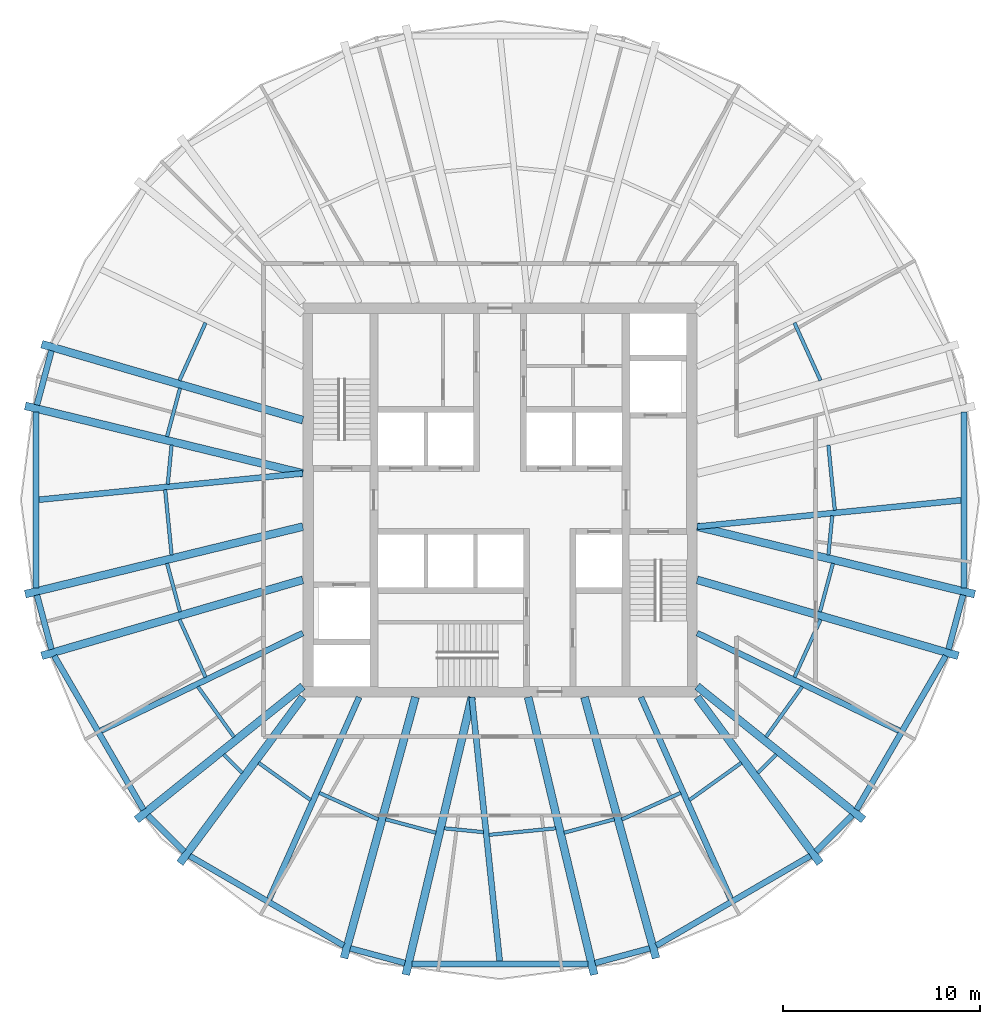
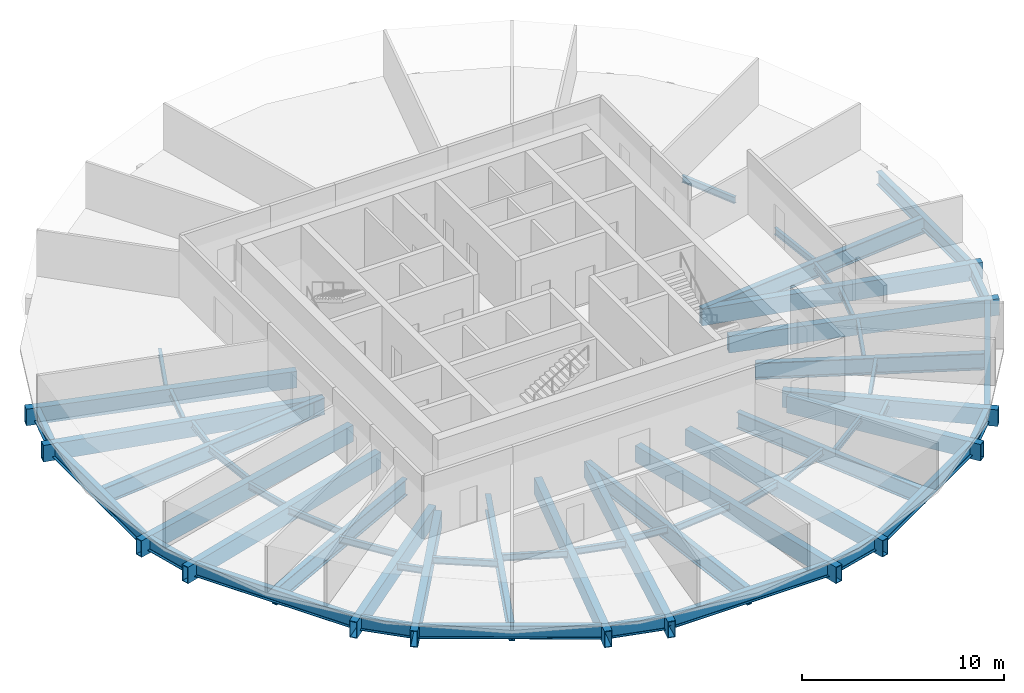
# One storey, part 1 of 6: 58 beams.
"""IFC4 building model written with IfcOpenShell, lengths in metres."""

from ifc_helpers import new_model, si_unit, direction, frame, origin, origin_2d, place, context, subcontext, project, spatial, hollow_rectangle, i_section, extrude, material, material_profile, profile_set, type_object, element, save


model = new_model("IFC4")

# Units and contexts
model_context = context("Model", 3, precision=1e-05, world=origin(), true_north=direction((0.0, 1.0)))
body_context = subcontext(model_context, "Body", "Model", "MODEL_VIEW")
ifc_project = project(units=[si_unit("LENGTHUNIT", "METRE"), si_unit("AREAUNIT", "SQUARE_METRE"), si_unit("VOLUMEUNIT", "CUBIC_METRE"), si_unit("PLANEANGLEUNIT", "RADIAN"), si_unit("MASSUNIT", "GRAM", prefix="KILO")], contexts=[model_context])

# Site, building, storey
site_placement = place(None, origin())
site = spatial("IfcSite", under=ifc_project, at=site_placement, CompositionType="ELEMENT")
building_placement = place(site_placement, origin())
building = spatial("IfcBuilding", under=site, at=building_placement, Name="Golbaran Civic Tower", CompositionType="ELEMENT")
storey_placement = place(building_placement, frame((0.0, 0.0, 138.0)))
storey = spatial("IfcBuildingStorey", under=building, at=storey_placement, Name="L33", CompositionType="ELEMENT", Elevation=138.0)

# Beams
ifc_material = material(Name="Steel S355", Category="steel")
ifc_material_profile_1 = material_profile(ifc_material, i_section(OverallWidth=0.300048828125, OverallDepth=0.800048828125, WebThickness=0.017578125, FlangeThickness=0.032958984375, FilletRadius=0.030029296875, at=origin_2d()), Name="HEB 800")
ifc_profile_set_1 = profile_set([ifc_material_profile_1], Name="Steel S355")
beam_type_1 = type_object("IfcBeamType", Name="EDGE BEAM HEB 800", PredefinedType="BEAM", material=ifc_profile_set_1)
beam_1_placement = place(storey_placement, frame((-22.7470703125, 7.572998046875, -0.60009765625), z_axis=(-0.258908578438, -0.965901831457, 0.0), x_axis=(0.965901831457, -0.258908578438, 0.0)))
element("IfcBeam", 1, at=beam_1_placement, inside=storey, type_object=beam_type_1, Name="Edge beam 161.28 L33", PredefinedType="BEAM", context=body_context, shape_type="SweptSolid", body=[
    extrude(i_section(OverallWidth=0.300048828125, OverallDepth=0.800048828125, WebThickness=0.017578125, FlangeThickness=0.032958984375, FilletRadius=0.030029296875, at=origin_2d()), origin(), (0.0, 0.0, 1.0), 2.853515625),
])
beam_2_placement = place(storey_placement, frame((-23.532470703125, 4.457763671875, -0.60009765625), z_axis=(0.0, -1.0, 0.0), x_axis=(1.0, 0.0, 0.0)))
element("IfcBeam", 2, at=beam_2_placement, inside=storey, type_object=beam_type_1, Name="Edge beam 168.72 L33", PredefinedType="BEAM", context=body_context, shape_type="SweptSolid", body=[
    extrude(i_section(OverallWidth=0.300048828125, OverallDepth=0.800048828125, WebThickness=0.017578125, FlangeThickness=0.032958984375, FilletRadius=0.030029296875, at=origin_2d()), origin(), (0.0, 0.0, 1.0), 8.91552734375),
])
beam_3_placement = place(storey_placement, frame((-23.48583984375, -4.81689453125, -0.60009765625), z_axis=(0.258908578438, -0.965901831457, 0.0), x_axis=(0.965901831457, 0.258908578438, 0.0)))
element("IfcBeam", 3, at=beam_3_placement, inside=storey, type_object=beam_type_1, Name="Edge beam 191.28 L33", PredefinedType="BEAM", context=body_context, shape_type="SweptSolid", body=[
    extrude(i_section(OverallWidth=0.300048828125, OverallDepth=0.800048828125, WebThickness=0.017578125, FlangeThickness=0.032958984375, FilletRadius=0.030029296875, at=origin_2d()), origin(), (0.0, 0.0, 1.0), 2.853515625),
])
beam_4_placement = place(storey_placement, frame((-22.607421875, -7.907470703125, -0.60009765625), z_axis=(0.501847371809, -0.864956192769, 0.0), x_axis=(0.864956192769, 0.501847371809, 0.0)))
element("IfcBeam", 4, at=beam_4_placement, inside=storey, type_object=beam_type_1, Name="Edge beam 198.72 L33", PredefinedType="BEAM", context=body_context, shape_type="SweptSolid", body=[
    extrude(i_section(OverallWidth=0.300048828125, OverallDepth=0.800048828125, WebThickness=0.017578125, FlangeThickness=0.032958984375, FilletRadius=0.030029296875, at=origin_2d()), origin(), (0.0, 0.0, 1.0), 9.01513671875),
])
beam_5_placement = place(storey_placement, frame((-17.864013671875, -15.99072265625, -0.60009765625), z_axis=(0.706449924406, -0.707763028355, 0.0), x_axis=(0.707763028355, 0.706449924406, 0.0)))
element("IfcBeam", 5, at=beam_5_placement, inside=storey, type_object=beam_type_1, Name="Edge beam 221.28 L33", PredefinedType="BEAM", context=body_context, shape_type="SweptSolid", body=[
    extrude(i_section(OverallWidth=0.300048828125, OverallDepth=0.800048828125, WebThickness=0.017578125, FlangeThickness=0.032958984375, FilletRadius=0.030029296875, at=origin_2d()), origin(), (0.0, 0.0, 1.0), 2.60302734375),
])
beam_6_placement = place(storey_placement, frame((-15.739990234375, -18.052978515625, -0.60009765625), z_axis=(0.864287724773, -0.502997742348, 0.0), x_axis=(0.502997742348, 0.864287724773, 0.0)))
element("IfcBeam", 6, at=beam_6_placement, inside=storey, type_object=beam_type_1, Name="Edge beam 228.72 L33", PredefinedType="BEAM", context=body_context, shape_type="SweptSolid", body=[
    extrude(i_section(OverallWidth=0.300048828125, OverallDepth=0.800048828125, WebThickness=0.017578125, FlangeThickness=0.032958984375, FilletRadius=0.030029296875, at=origin_2d()), origin(), (0.0, 0.0, 1.0), 9.04150390625),
])
beam_7_placement = place(storey_placement, frame((-7.590576171875, -22.7412109375, -0.60009765625), z_axis=(0.965771038449, -0.259396031761, 0.0), x_axis=(0.259396031761, 0.965771038449, 0.0)))
element("IfcBeam", 7, at=beam_7_placement, inside=storey, type_object=beam_type_1, Name="Edge beam 251.28 L33", PredefinedType="BEAM", context=body_context, shape_type="SweptSolid", body=[
    extrude(i_section(OverallWidth=0.300048828125, OverallDepth=0.800048828125, WebThickness=0.017578125, FlangeThickness=0.032958984375, FilletRadius=0.030029296875, at=origin_2d()), origin(), (0.0, 0.0, 1.0), 2.865966796875),
])
beam_8_placement = place(storey_placement, frame((-4.4638671875, -23.53125, -0.60009765625), z_axis=(1.0, 0.0, 0.0), x_axis=(0.0, 1.0, 0.0)))
element("IfcBeam", 8, at=beam_8_placement, inside=storey, type_object=beam_type_1, Name="Edge beam 258.72 L33", PredefinedType="BEAM", context=body_context, shape_type="SweptSolid", body=[
    extrude(i_section(OverallWidth=0.300048828125, OverallDepth=0.800048828125, WebThickness=0.017578125, FlangeThickness=0.032958984375, FilletRadius=0.030029296875, at=origin_2d()), origin(), (0.0, 0.0, 1.0), 8.927734375),
])
beam_9_placement = place(storey_placement, frame((4.82275390625, -23.484619140625, -0.60009765625), z_axis=(0.965771038449, 0.259396031761, 0.0), x_axis=(-0.259396031761, 0.965771038449, 0.0)))
element("IfcBeam", 9, at=beam_9_placement, inside=storey, type_object=beam_type_1, Name="Edge beam 281.28 L33", PredefinedType="BEAM", context=body_context, shape_type="SweptSolid", body=[
    extrude(i_section(OverallWidth=0.300048828125, OverallDepth=0.800048828125, WebThickness=0.017578125, FlangeThickness=0.032958984375, FilletRadius=0.030029296875, at=origin_2d()), origin(), (0.0, 0.0, 1.0), 2.865966796875),
])
beam_10_placement = place(storey_placement, frame((7.925537109375, -22.600830078125, -0.60009765625), z_axis=(0.864287724773, 0.502997742348, 0.0), x_axis=(-0.502997742348, 0.864287724773, 0.0)))
element("IfcBeam", 10, at=beam_10_placement, inside=storey, type_object=beam_type_1, Name="Edge beam 288.72 L33", PredefinedType="BEAM", context=body_context, shape_type="SweptSolid", body=[
    extrude(i_section(OverallWidth=0.300048828125, OverallDepth=0.800048828125, WebThickness=0.017578125, FlangeThickness=0.032958984375, FilletRadius=0.030029296875, at=origin_2d()), origin(), (0.0, 0.0, 1.0), 9.04150390625),
])
beam_11_placement = place(storey_placement, frame((16.025146484375, -17.8330078125, -0.60009765625), z_axis=(0.706449924406, 0.707763028355, 0.0), x_axis=(-0.707763028355, 0.706449924406, 0.0)))
element("IfcBeam", 11, at=beam_11_placement, inside=storey, type_object=beam_type_1, Name="Edge beam 311.28 L33", PredefinedType="BEAM", context=body_context, shape_type="SweptSolid", body=[
    extrude(i_section(OverallWidth=0.300048828125, OverallDepth=0.800048828125, WebThickness=0.017578125, FlangeThickness=0.032958984375, FilletRadius=0.030029296875, at=origin_2d()), origin(), (0.0, 0.0, 1.0), 2.60302734375),
])
beam_12_placement = place(storey_placement, frame((18.083251953125, -15.705078125, -0.60009765625), z_axis=(0.501847371809, 0.864956192769, 0.0), x_axis=(-0.864956192769, 0.501847371809, 0.0)))
element("IfcBeam", 12, at=beam_12_placement, inside=storey, type_object=beam_type_1, Name="Edge beam 318.72 L33", PredefinedType="BEAM", context=body_context, shape_type="SweptSolid", body=[
    extrude(i_section(OverallWidth=0.300048828125, OverallDepth=0.800048828125, WebThickness=0.017578125, FlangeThickness=0.032958984375, FilletRadius=0.030029296875, at=origin_2d()), origin(), (0.0, 0.0, 1.0), 9.01513671875),
])
beam_13_placement = place(storey_placement, frame((22.7470703125, -7.572998046875, -0.60009765625), z_axis=(0.258908578438, 0.965901831457, 0.0), x_axis=(-0.965901831457, 0.258908578438, 0.0)))
element("IfcBeam", 13, at=beam_13_placement, inside=storey, type_object=beam_type_1, Name="Edge beam 341.28 L33", PredefinedType="BEAM", context=body_context, shape_type="SweptSolid", body=[
    extrude(i_section(OverallWidth=0.300048828125, OverallDepth=0.800048828125, WebThickness=0.017578125, FlangeThickness=0.032958984375, FilletRadius=0.030029296875, at=origin_2d()), origin(), (0.0, 0.0, 1.0), 2.853515625),
])
beam_14_placement = place(storey_placement, frame((23.532470703125, -4.457763671875, -0.60009765625), z_axis=(0.0, 1.0, 0.0), x_axis=(-1.0, 0.0, 0.0)))
element("IfcBeam", 14, at=beam_14_placement, inside=storey, type_object=beam_type_1, Name="Edge beam 348.72 L33", PredefinedType="BEAM", context=body_context, shape_type="SweptSolid", body=[
    extrude(i_section(OverallWidth=0.300048828125, OverallDepth=0.800048828125, WebThickness=0.017578125, FlangeThickness=0.032958984375, FilletRadius=0.030029296875, at=origin_2d()), origin(), (0.0, 0.0, 1.0), 8.91552734375),
])
ifc_material_profile_2 = material_profile(ifc_material, i_section(OverallWidth=0.179931640625, OverallDepth=0.39990234375, WebThickness=0.008544921875, FlangeThickness=0.013427734375, FilletRadius=0.02099609375, at=origin_2d()), Name="IPE 400")
ifc_profile_set_2 = profile_set([ifc_material_profile_2], Name="Steel S355")
beam_type_2 = type_object("IfcBeamType", Name="FLOOR INFILL BEAM IPE 400", PredefinedType="BEAM", material=ifc_profile_set_2)
beam_15_placement = place(storey_placement, frame((16.981201171875, -0.52294921875, -0.39990234375), z_axis=(-0.098223444847, 0.995164385859, 0.0), x_axis=(-0.995164385859, -0.098223444847, 0.0)))
element("IfcBeam", 15, at=beam_15_placement, inside=storey, type_object=beam_type_2, Name="Infill beam 5.64 L33", PredefinedType="BEAM", context=body_context, shape_type="SweptSolid", body=[
    extrude(i_section(OverallWidth=0.179931640625, OverallDepth=0.39990234375, WebThickness=0.008544921875, FlangeThickness=0.013427734375, FilletRadius=0.02099609375, at=origin_2d()), origin(), (0.0, 0.0, 1.0), 3.3232421875),
])
for number, where, z_axis, x_axis, name in (
    (16, (16.258056640625, 6.05908203125, -0.39990234375), (-0.412475457905, 0.910968713308, 0.0), (-0.910968713308, -0.412475457905, 0.0), "Infill beam 24.36 L33"),
    (17, (-14.931640625, 8.988525390625, -0.39990234375), (-0.412475457905, -0.910968713308, 0.0), (0.910968713308, -0.412475457905, 0.0), "Infill beam 155.64 L33"),
):
    element("IfcBeam", number, at=place(storey_placement, frame(where, z_axis=z_axis, x_axis=x_axis)), inside=storey, type_object=beam_type_2, Name=name, PredefinedType="BEAM", context=body_context, shape_type="SweptSolid", body=[
        extrude(i_section(OverallWidth=0.179931640625, OverallDepth=0.39990234375, WebThickness=0.008544921875, FlangeThickness=0.013427734375, FilletRadius=0.02099609375, at=origin_2d()), origin(), (0.0, 0.0, 1.0), 3.2158203125),
    ])
beam_16_placement = place(storey_placement, frame((-16.2265625, 5.675048828125, -0.39990234375), z_axis=(-0.258806252731, -0.965929253904, 0.0), x_axis=(0.965929253904, -0.258806252731, 0.0)))
element("IfcBeam", 18, at=beam_16_placement, inside=storey, type_object=beam_type_2, Name="Infill beam 165.00 L33", PredefinedType="BEAM", context=body_context, shape_type="SweptSolid", body=[
    extrude(i_section(OverallWidth=0.179931640625, OverallDepth=0.39990234375, WebThickness=0.008544921875, FlangeThickness=0.013427734375, FilletRadius=0.02099609375, at=origin_2d()), origin(), (0.0, 0.0, 1.0), 2.55078125),
])
beam_17_placement = place(storey_placement, frame((-16.65478515625, 2.7841796875, -0.39990234375), z_axis=(-0.098184067104, -0.995168271684, 0.0), x_axis=(0.995168271684, -0.098184067104, 0.0)))
element("IfcBeam", 19, at=beam_17_placement, inside=storey, type_object=beam_type_2, Name="Infill beam 174.36 L33", PredefinedType="BEAM", context=body_context, shape_type="SweptSolid", body=[
    extrude(i_section(OverallWidth=0.179931640625, OverallDepth=0.39990234375, WebThickness=0.008544921875, FlangeThickness=0.013427734375, FilletRadius=0.02099609375, at=origin_2d()), origin(), (0.0, 0.0, 1.0), 1.996826171875),
])
beam_18_placement = place(storey_placement, frame((-16.981201171875, 0.52294921875, -0.39990234375), z_axis=(0.098223444847, -0.995164385859, 0.0), x_axis=(0.995164385859, 0.098223444847, 0.0)))
element("IfcBeam", 20, at=beam_18_placement, inside=storey, type_object=beam_type_2, Name="Infill beam 185.64 L33", PredefinedType="BEAM", context=body_context, shape_type="SweptSolid", body=[
    extrude(i_section(OverallWidth=0.179931640625, OverallDepth=0.39990234375, WebThickness=0.008544921875, FlangeThickness=0.013427734375, FilletRadius=0.02099609375, at=origin_2d()), origin(), (0.0, 0.0, 1.0), 3.3232421875),
])
beam_19_placement = place(storey_placement, frame((-16.88671875, -3.211181640625, -0.39990234375), z_axis=(0.258806252731, -0.965929253904, 0.0), x_axis=(0.965929253904, 0.258806252731, 0.0)))
element("IfcBeam", 21, at=beam_19_placement, inside=storey, type_object=beam_type_2, Name="Infill beam 195.00 L33", PredefinedType="BEAM", context=body_context, shape_type="SweptSolid", body=[
    extrude(i_section(OverallWidth=0.179931640625, OverallDepth=0.39990234375, WebThickness=0.008544921875, FlangeThickness=0.013427734375, FilletRadius=0.02099609375, at=origin_2d()), origin(), (0.0, 0.0, 1.0), 2.55078125),
])
beam_20_placement = place(storey_placement, frame((-16.258056640625, -6.05908203125, -0.39990234375), z_axis=(0.412475457905, -0.910968713308, 0.0), x_axis=(0.910968713308, 0.412475457905, 0.0)))
element("IfcBeam", 22, at=beam_20_placement, inside=storey, type_object=beam_type_2, Name="Infill beam 204.36 L33", PredefinedType="BEAM", context=body_context, shape_type="SweptSolid", body=[
    extrude(i_section(OverallWidth=0.179931640625, OverallDepth=0.39990234375, WebThickness=0.008544921875, FlangeThickness=0.013427734375, FilletRadius=0.02099609375, at=origin_2d()), origin(), (0.0, 0.0, 1.0), 3.2158203125),
])
beam_21_placement = place(storey_placement, frame((-15.322509765625, -9.46630859375, -0.39990234375), z_axis=(0.582684869159, -0.812698187061, 0.0), x_axis=(0.812698187061, 0.582684869159, 0.0)))
element("IfcBeam", 23, at=beam_21_placement, inside=storey, type_object=beam_type_2, Name="Infill beam 215.64 L33", PredefinedType="BEAM", context=body_context, shape_type="SweptSolid", body=[
    extrude(i_section(OverallWidth=0.179931640625, OverallDepth=0.39990234375, WebThickness=0.008544921875, FlangeThickness=0.013427734375, FilletRadius=0.02099609375, at=origin_2d()), origin(), (0.0, 0.0, 1.0), 3.142822265625),
])
beam_22_placement = place(storey_placement, frame((-14.02099609375, -12.9072265625, -0.39990234375), z_axis=(0.707106781187, -0.707106781187, 0.0), x_axis=(0.707106781187, 0.707106781187, 0.0)))
element("IfcBeam", 24, at=beam_22_placement, inside=storey, type_object=beam_type_2, Name="Infill beam 225.00 L33", PredefinedType="BEAM", context=body_context, shape_type="SweptSolid", body=[
    extrude(i_section(OverallWidth=0.179931640625, OverallDepth=0.39990234375, WebThickness=0.008544921875, FlangeThickness=0.013427734375, FilletRadius=0.02099609375, at=origin_2d()), origin(), (0.0, 0.0, 1.0), 1.33544921875),
])
beam_23_placement = place(storey_placement, frame((-12.24169921875, -13.3291015625, -0.39990234375), z_axis=(0.812708896014, -0.582669932586, 0.0), x_axis=(0.582669932586, 0.812708896014, 0.0)))
element("IfcBeam", 25, at=beam_23_placement, inside=storey, type_object=beam_type_2, Name="Infill beam 234.36 L33", PredefinedType="BEAM", context=body_context, shape_type="SweptSolid", body=[
    extrude(i_section(OverallWidth=0.179931640625, OverallDepth=0.39990234375, WebThickness=0.008544921875, FlangeThickness=0.013427734375, FilletRadius=0.02099609375, at=origin_2d()), origin(), (0.0, 0.0, 1.0), 3.240234375),
])
beam_24_placement = place(storey_placement, frame((-9.161865234375, -14.853515625, -0.39990234375), z_axis=(0.910969479968, -0.412473764701, 0.0), x_axis=(0.412473764701, 0.910969479968, 0.0)))
element("IfcBeam", 26, at=beam_24_placement, inside=storey, type_object=beam_type_2, Name="Infill beam 245.64 L33", PredefinedType="BEAM", context=body_context, shape_type="SweptSolid", body=[
    extrude(i_section(OverallWidth=0.179931640625, OverallDepth=0.39990234375, WebThickness=0.008544921875, FlangeThickness=0.013427734375, FilletRadius=0.02099609375, at=origin_2d()), origin(), (0.0, 0.0, 1.0), 3.28076171875),
])
beam_25_placement = place(storey_placement, frame((-5.79638671875, -16.19384765625, -0.39990234375), z_axis=(0.965919113545, -0.258844096103, 0.0), x_axis=(0.258844096103, 0.965919113545, 0.0)))
element("IfcBeam", 27, at=beam_25_placement, inside=storey, type_object=beam_type_2, Name="Infill beam 255.00 L33", PredefinedType="BEAM", context=body_context, shape_type="SweptSolid", body=[
    extrude(i_section(OverallWidth=0.179931640625, OverallDepth=0.39990234375, WebThickness=0.008544921875, FlangeThickness=0.013427734375, FilletRadius=0.02099609375, at=origin_2d()), origin(), (0.0, 0.0, 1.0), 2.63623046875),
])
beam_26_placement = place(storey_placement, frame((-2.826171875, -16.64990234375, -0.39990234375), z_axis=(0.995157352004, -0.098294683235, 0.0), x_axis=(0.098294683235, 0.995157352004, 0.0)))
element("IfcBeam", 28, at=beam_26_placement, inside=storey, type_object=beam_type_2, Name="Infill beam 264.36 L33", PredefinedType="BEAM", context=body_context, shape_type="SweptSolid", body=[
    extrude(i_section(OverallWidth=0.179931640625, OverallDepth=0.39990234375, WebThickness=0.008544921875, FlangeThickness=0.013427734375, FilletRadius=0.02099609375, at=origin_2d()), origin(), (0.0, 0.0, 1.0), 1.99951171875),
])
beam_27_placement = place(storey_placement, frame((-0.560546875, -16.984375, -0.39990234375), z_axis=(0.995158609024, 0.098281956053, 0.0), x_axis=(-0.098281956053, 0.995158609024, 0.0)))
element("IfcBeam", 29, at=beam_27_placement, inside=storey, type_object=beam_type_2, Name="Infill beam 275.64 L33", PredefinedType="BEAM", context=body_context, shape_type="SweptSolid", body=[
    extrude(i_section(OverallWidth=0.179931640625, OverallDepth=0.39990234375, WebThickness=0.008544921875, FlangeThickness=0.013427734375, FilletRadius=0.02099609375, at=origin_2d()), origin(), (0.0, 0.0, 1.0), 3.403076171875),
])
beam_28_placement = place(storey_placement, frame((3.25, -16.876220703125, -0.39990234375), z_axis=(0.965919113545, 0.258844096103, 0.0), x_axis=(-0.258844096103, 0.965919113545, 0.0)))
element("IfcBeam", 30, at=beam_28_placement, inside=storey, type_object=beam_type_2, Name="Infill beam 285.00 L33", PredefinedType="BEAM", context=body_context, shape_type="SweptSolid", body=[
    extrude(i_section(OverallWidth=0.179931640625, OverallDepth=0.39990234375, WebThickness=0.008544921875, FlangeThickness=0.013427734375, FilletRadius=0.02099609375, at=origin_2d()), origin(), (0.0, 0.0, 1.0), 2.63623046875),
])
beam_29_placement = place(storey_placement, frame((6.173095703125, -16.206787109375, -0.39990234375), z_axis=(0.910969479968, 0.412473764701, 0.0), x_axis=(-0.412473764701, 0.910969479968, 0.0)))
element("IfcBeam", 31, at=beam_29_placement, inside=storey, type_object=beam_type_2, Name="Infill beam 294.36 L33", PredefinedType="BEAM", context=body_context, shape_type="SweptSolid", body=[
    extrude(i_section(OverallWidth=0.179931640625, OverallDepth=0.39990234375, WebThickness=0.008544921875, FlangeThickness=0.013427734375, FilletRadius=0.02099609375, at=origin_2d()), origin(), (0.0, 0.0, 1.0), 3.28076171875),
])
beam_30_placement = place(storey_placement, frame((9.6083984375, -15.217041015625, -0.39990234375), z_axis=(0.812708896014, 0.582669932586, 0.0), x_axis=(-0.582669932586, 0.812708896014, 0.0)))
element("IfcBeam", 32, at=beam_30_placement, inside=storey, type_object=beam_type_2, Name="Infill beam 305.64 L33", PredefinedType="BEAM", context=body_context, shape_type="SweptSolid", body=[
    extrude(i_section(OverallWidth=0.179931640625, OverallDepth=0.39990234375, WebThickness=0.008544921875, FlangeThickness=0.013427734375, FilletRadius=0.02099609375, at=origin_2d()), origin(), (0.0, 0.0, 1.0), 3.240234375),
])
beam_31_placement = place(storey_placement, frame((13.07666015625, -13.8515625, -0.39990234375), z_axis=(0.707106781187, 0.707106781187, 0.0), x_axis=(-0.707106781187, 0.707106781187, 0.0)))
element("IfcBeam", 33, at=beam_31_placement, inside=storey, type_object=beam_type_2, Name="Infill beam 315.00 L33", PredefinedType="BEAM", context=body_context, shape_type="SweptSolid", body=[
    extrude(i_section(OverallWidth=0.179931640625, OverallDepth=0.39990234375, WebThickness=0.008544921875, FlangeThickness=0.013427734375, FilletRadius=0.02099609375, at=origin_2d()), origin(), (0.0, 0.0, 1.0), 1.33544921875),
])
beam_32_placement = place(storey_placement, frame((13.4912109375, -12.0205078125, -0.39990234375), z_axis=(0.582684869159, 0.812698187061, 0.0), x_axis=(-0.812698187061, 0.582684869159, 0.0)))
element("IfcBeam", 34, at=beam_32_placement, inside=storey, type_object=beam_type_2, Name="Infill beam 324.36 L33", PredefinedType="BEAM", context=body_context, shape_type="SweptSolid", body=[
    extrude(i_section(OverallWidth=0.179931640625, OverallDepth=0.39990234375, WebThickness=0.008544921875, FlangeThickness=0.013427734375, FilletRadius=0.02099609375, at=origin_2d()), origin(), (0.0, 0.0, 1.0), 3.142822265625),
])
beam_33_placement = place(storey_placement, frame((14.931640625, -8.988525390625, -0.39990234375), z_axis=(0.412475457905, 0.910968713308, 0.0), x_axis=(-0.910968713308, 0.412475457905, 0.0)))
element("IfcBeam", 35, at=beam_33_placement, inside=storey, type_object=beam_type_2, Name="Infill beam 335.64 L33", PredefinedType="BEAM", context=body_context, shape_type="SweptSolid", body=[
    extrude(i_section(OverallWidth=0.179931640625, OverallDepth=0.39990234375, WebThickness=0.008544921875, FlangeThickness=0.013427734375, FilletRadius=0.02099609375, at=origin_2d()), origin(), (0.0, 0.0, 1.0), 3.2158203125),
])
beam_34_placement = place(storey_placement, frame((16.2265625, -5.675048828125, -0.39990234375), z_axis=(0.258806252731, 0.965929253904, 0.0), x_axis=(-0.965929253904, 0.258806252731, 0.0)))
element("IfcBeam", 36, at=beam_34_placement, inside=storey, type_object=beam_type_2, Name="Infill beam 345.00 L33", PredefinedType="BEAM", context=body_context, shape_type="SweptSolid", body=[
    extrude(i_section(OverallWidth=0.179931640625, OverallDepth=0.39990234375, WebThickness=0.008544921875, FlangeThickness=0.013427734375, FilletRadius=0.02099609375, at=origin_2d()), origin(), (0.0, 0.0, 1.0), 2.55078125),
])
beam_35_placement = place(storey_placement, frame((16.65478515625, -2.7841796875, -0.39990234375), z_axis=(0.098184067104, 0.995168271684, 0.0), x_axis=(-0.995168271684, 0.098184067104, 0.0)))
element("IfcBeam", 37, at=beam_35_placement, inside=storey, type_object=beam_type_2, Name="Infill beam 354.36 L33", PredefinedType="BEAM", context=body_context, shape_type="SweptSolid", body=[
    extrude(i_section(OverallWidth=0.179931640625, OverallDepth=0.39990234375, WebThickness=0.008544921875, FlangeThickness=0.013427734375, FilletRadius=0.02099609375, at=origin_2d()), origin(), (0.0, 0.0, 1.0), 1.996826171875),
])
ifc_material_profile_3 = material_profile(ifc_material, hollow_rectangle(XDim=0.39990234375, YDim=1.0, WallThickness=0.0400390625, at=origin_2d()), Name="BOX 1000x400x40")
ifc_profile_set_3 = profile_set([ifc_material_profile_3], Name="Steel S355")
beam_type_3 = type_object("IfcBeamType", Name="RADIAL FLOOR BEAM BOX 1000x400x40", PredefinedType="BEAM", material=ifc_profile_set_3)
beam_36_placement = place(storey_placement, frame((-10.0, 4.050048828125, -0.7099609375), z_axis=(-0.960149178727, 0.279488022264, 0.0), x_axis=(-0.279488022264, -0.960149178727, 0.0)))
element("IfcBeam", 38, at=beam_36_placement, inside=storey, type_object=beam_type_3, Name="Radial beam 161.28 L33", PredefinedType="BEAM", context=body_context, shape_type="SweptSolid", body=[
    extrude(hollow_rectangle(XDim=0.39990234375, YDim=1.0, WallThickness=0.0400390625, at=origin_2d()), origin(), (0.0, 0.0, 1.0), 13.78955078125),
])
for number, where, z_axis, x_axis, name in (
    (39, (-10.0, 1.35009765625, -0.7099609375), (-0.971646786921, 0.236437140624, 0.0), (-0.236437140624, -0.971646786921, 0.0), "Radial beam 168.72 L33"),
    (40, (-10.0, -1.35009765625, -0.7099609375), (-0.971646786921, -0.236437140624, 0.0), (0.236437140624, -0.971646786921, 0.0), "Radial beam 191.28 L33"),
):
    element("IfcBeam", number, at=place(storey_placement, frame(where, z_axis=z_axis, x_axis=x_axis)), inside=storey, type_object=beam_type_3, Name=name, PredefinedType="BEAM", context=body_context, shape_type="SweptSolid", body=[
        extrude(hollow_rectangle(XDim=0.39990234375, YDim=1.0, WallThickness=0.0400390625, at=origin_2d()), origin(), (0.0, 0.0, 1.0), 14.4892578125),
    ])
beam_37_placement = place(storey_placement, frame((-10.0, -4.050048828125, -0.7099609375), z_axis=(-0.960149178727, -0.279488022264, 0.0), x_axis=(0.279488022264, -0.960149178727, 0.0)))
element("IfcBeam", 41, at=beam_37_placement, inside=storey, type_object=beam_type_3, Name="Radial beam 198.72 L33", PredefinedType="BEAM", context=body_context, shape_type="SweptSolid", body=[
    extrude(hollow_rectangle(XDim=0.39990234375, YDim=1.0, WallThickness=0.0400390625, at=origin_2d()), origin(), (0.0, 0.0, 1.0), 13.78955078125),
])
beam_38_placement = place(storey_placement, frame((-10.0, -9.449951171875, -0.7099609375), z_axis=(-0.779956021203, -0.62583432711, 0.0), x_axis=(0.62583432711, -0.779956021203, 0.0)))
element("IfcBeam", 42, at=beam_38_placement, inside=storey, type_object=beam_type_3, Name="Radial beam 221.28 L33", PredefinedType="BEAM", context=body_context, shape_type="SweptSolid", body=[
    extrude(hollow_rectangle(XDim=0.39990234375, YDim=1.0, WallThickness=0.0400390625, at=origin_2d()), origin(), (0.0, 0.0, 1.0), 10.81298828125),
])
beam_39_placement = place(storey_placement, frame((-10.0, -10.0, -0.7099609375), z_axis=(-0.595168479869, -0.803600946098, 0.0), x_axis=(0.803600946098, -0.595168479869, 0.0)))
element("IfcBeam", 43, at=beam_39_placement, inside=storey, type_object=beam_type_3, Name="Radial beam 228.72 L33", PredefinedType="BEAM", context=body_context, shape_type="SweptSolid", body=[
    extrude(hollow_rectangle(XDim=0.39990234375, YDim=1.0, WallThickness=0.0400390625, at=origin_2d()), origin(), (0.0, 0.0, 1.0), 10.4775390625),
])
beam_40_placement = place(storey_placement, frame((-4.28564453125, -10.0, -0.7099609375), z_axis=(-0.264289774028, -0.964443318886, 0.0), x_axis=(0.964443318886, -0.264289774028, 0.0)))
element("IfcBeam", 44, at=beam_40_placement, inside=storey, type_object=beam_type_3, Name="Radial beam 251.28 L33", PredefinedType="BEAM", context=body_context, shape_type="SweptSolid", body=[
    extrude(hollow_rectangle(XDim=0.39990234375, YDim=1.0, WallThickness=0.0400390625, at=origin_2d()), origin(), (0.0, 0.0, 1.0), 13.724365234375),
])
for number, where, z_axis, x_axis, name in (
    (45, (-1.428466796875, -10.0, -0.7099609375), (-0.231532335751, -0.97282720845, 0.0), (0.97282720845, -0.231532335751, 0.0), "Radial beam 258.72 L33"),
    (46, (1.428466796875, -10.0, -0.7099609375), (0.231532335751, -0.97282720845, 0.0), (0.97282720845, 0.231532335751, 0.0), "Radial beam 281.28 L33"),
):
    element("IfcBeam", number, at=place(storey_placement, frame(where, z_axis=z_axis, x_axis=x_axis)), inside=storey, type_object=beam_type_3, Name=name, PredefinedType="BEAM", context=body_context, shape_type="SweptSolid", body=[
        extrude(hollow_rectangle(XDim=0.39990234375, YDim=1.0, WallThickness=0.0400390625, at=origin_2d()), origin(), (0.0, 0.0, 1.0), 14.471435546875),
    ])
beam_41_placement = place(storey_placement, frame((4.28564453125, -10.0, -0.7099609375), z_axis=(0.264289774028, -0.964443318886, 0.0), x_axis=(0.964443318886, 0.264289774028, 0.0)))
element("IfcBeam", 47, at=beam_41_placement, inside=storey, type_object=beam_type_3, Name="Radial beam 288.72 L33", PredefinedType="BEAM", context=body_context, shape_type="SweptSolid", body=[
    extrude(hollow_rectangle(XDim=0.39990234375, YDim=1.0, WallThickness=0.0400390625, at=origin_2d()), origin(), (0.0, 0.0, 1.0), 13.724365234375),
])
beam_42_placement = place(storey_placement, frame((10.0, -10.0, -0.7099609375), z_axis=(0.595168479869, -0.803600946098, 0.0), x_axis=(0.803600946098, 0.595168479869, 0.0)))
element("IfcBeam", 48, at=beam_42_placement, inside=storey, type_object=beam_type_3, Name="Radial beam 311.28 L33", PredefinedType="BEAM", context=body_context, shape_type="SweptSolid", body=[
    extrude(hollow_rectangle(XDim=0.39990234375, YDim=1.0, WallThickness=0.0400390625, at=origin_2d()), origin(), (0.0, 0.0, 1.0), 10.4775390625),
])
beam_43_placement = place(storey_placement, frame((10.0, -9.449951171875, -0.7099609375), z_axis=(0.779956021203, -0.62583432711, 0.0), x_axis=(0.62583432711, 0.779956021203, 0.0)))
element("IfcBeam", 49, at=beam_43_placement, inside=storey, type_object=beam_type_3, Name="Radial beam 318.72 L33", PredefinedType="BEAM", context=body_context, shape_type="SweptSolid", body=[
    extrude(hollow_rectangle(XDim=0.39990234375, YDim=1.0, WallThickness=0.0400390625, at=origin_2d()), origin(), (0.0, 0.0, 1.0), 10.81298828125),
])
beam_44_placement = place(storey_placement, frame((10.0, -4.050048828125, -0.7099609375), z_axis=(0.960149178727, -0.279488022264, 0.0), x_axis=(0.279488022264, 0.960149178727, 0.0)))
element("IfcBeam", 50, at=beam_44_placement, inside=storey, type_object=beam_type_3, Name="Radial beam 341.28 L33", PredefinedType="BEAM", context=body_context, shape_type="SweptSolid", body=[
    extrude(hollow_rectangle(XDim=0.39990234375, YDim=1.0, WallThickness=0.0400390625, at=origin_2d()), origin(), (0.0, 0.0, 1.0), 13.78955078125),
])
beam_45_placement = place(storey_placement, frame((10.0, -1.35009765625, -0.7099609375), z_axis=(0.971646786921, -0.236437140624, 0.0), x_axis=(0.236437140624, 0.971646786921, 0.0)))
element("IfcBeam", 51, at=beam_45_placement, inside=storey, type_object=beam_type_3, Name="Radial beam 348.72 L33", PredefinedType="BEAM", context=body_context, shape_type="SweptSolid", body=[
    extrude(hollow_rectangle(XDim=0.39990234375, YDim=1.0, WallThickness=0.0400390625, at=origin_2d()), origin(), (0.0, 0.0, 1.0), 14.4892578125),
])
ifc_material_profile_4 = material_profile(ifc_material, i_section(OverallWidth=0.300048828125, OverallDepth=1.0, WebThickness=0.01904296875, FlangeThickness=0.035888671875, FilletRadius=0.030029296875, at=origin_2d()), Name="HEB 1000")
ifc_profile_set_4 = profile_set([ifc_material_profile_4], Name="Steel S355")
beam_type_4 = type_object("IfcBeamType", Name="SECONDARY FLOOR BEAM HEB 1000", PredefinedType="BEAM", material=ifc_profile_set_4)
for number, where, z_axis, x_axis, name in (
    (52, (10.0, -1.35009765625, -0.7099609375), (0.995060092554, 0.099274428762, 0.0), (-0.099274428762, 0.995060092554, 0.0), "Secondary beam 0.00 L33"),
    (53, (-10.0, 1.35009765625, -0.7099609375), (-0.995060092554, -0.099274428762, 0.0), (0.099274428762, -0.995060092554, 0.0), "Secondary beam 180.00 L33"),
):
    element("IfcBeam", number, at=place(storey_placement, frame(where, z_axis=z_axis, x_axis=x_axis)), inside=storey, type_object=beam_type_4, Name=name, PredefinedType="BEAM", context=body_context, shape_type="SweptSolid", body=[
        extrude(i_section(OverallWidth=0.300048828125, OverallDepth=1.0, WebThickness=0.01904296875, FlangeThickness=0.035888671875, FilletRadius=0.030029296875, at=origin_2d()), origin(), (0.0, 0.0, 1.0), 13.599609375),
    ])
beam_46_placement = place(storey_placement, frame((-10.0, -6.75, -0.7099609375), z_axis=(-0.900394483529, -0.435074446538, 0.0), x_axis=(0.435074446538, -0.900394483529, 0.0)))
element("IfcBeam", 54, at=beam_46_placement, inside=storey, type_object=beam_type_4, Name="Secondary beam 210.00 L33", PredefinedType="BEAM", context=body_context, shape_type="SweptSolid", body=[
    extrude(i_section(OverallWidth=0.300048828125, OverallDepth=1.0, WebThickness=0.01904296875, FlangeThickness=0.035888671875, FilletRadius=0.030029296875, at=origin_2d()), origin(), (0.0, 0.0, 1.0), 11.5185546875),
])
beam_47_placement = place(storey_placement, frame((-7.142822265625, -10.0, -0.7099609375), z_axis=(-0.406794932355, -0.913519503355, 0.0), x_axis=(0.913519503355, -0.406794932355, 0.0)))
element("IfcBeam", 55, at=beam_47_placement, inside=storey, type_object=beam_type_4, Name="Secondary beam 240.00 L33", PredefinedType="BEAM", context=body_context, shape_type="SweptSolid", body=[
    extrude(i_section(OverallWidth=0.300048828125, OverallDepth=1.0, WebThickness=0.01904296875, FlangeThickness=0.035888671875, FilletRadius=0.030029296875, at=origin_2d()), origin(), (0.0, 0.0, 1.0), 11.350830078125),
])
beam_48_placement = place(storey_placement, frame((-1.428466796875, -10.0, -0.7099609375), z_axis=(0.104984600223, -0.994473847678, 0.0), x_axis=(0.994473847678, 0.104984600223, 0.0)))
element("IfcBeam", 56, at=beam_48_placement, inside=storey, type_object=beam_type_4, Name="Secondary beam 270.00 L33", PredefinedType="BEAM", context=body_context, shape_type="SweptSolid", body=[
    extrude(i_section(OverallWidth=0.300048828125, OverallDepth=1.0, WebThickness=0.01904296875, FlangeThickness=0.035888671875, FilletRadius=0.030029296875, at=origin_2d()), origin(), (0.0, 0.0, 1.0), 13.6064453125),
])
beam_49_placement = place(storey_placement, frame((7.142822265625, -10.0, -0.7099609375), z_axis=(0.406794932355, -0.913519503355, 0.0), x_axis=(0.913519503355, 0.406794932355, 0.0)))
element("IfcBeam", 57, at=beam_49_placement, inside=storey, type_object=beam_type_4, Name="Secondary beam 300.00 L33", PredefinedType="BEAM", context=body_context, shape_type="SweptSolid", body=[
    extrude(i_section(OverallWidth=0.300048828125, OverallDepth=1.0, WebThickness=0.01904296875, FlangeThickness=0.035888671875, FilletRadius=0.030029296875, at=origin_2d()), origin(), (0.0, 0.0, 1.0), 11.350830078125),
])
beam_50_placement = place(storey_placement, frame((10.0, -6.75, -0.7099609375), z_axis=(0.900394483529, -0.435074446538, 0.0), x_axis=(0.435074446538, 0.900394483529, 0.0)))
element("IfcBeam", 58, at=beam_50_placement, inside=storey, type_object=beam_type_4, Name="Secondary beam 330.00 L33", PredefinedType="BEAM", context=body_context, shape_type="SweptSolid", body=[
    extrude(i_section(OverallWidth=0.300048828125, OverallDepth=1.0, WebThickness=0.01904296875, FlangeThickness=0.035888671875, FilletRadius=0.030029296875, at=origin_2d()), origin(), (0.0, 0.0, 1.0), 11.5185546875),
])

save(model, "model.ifc")
